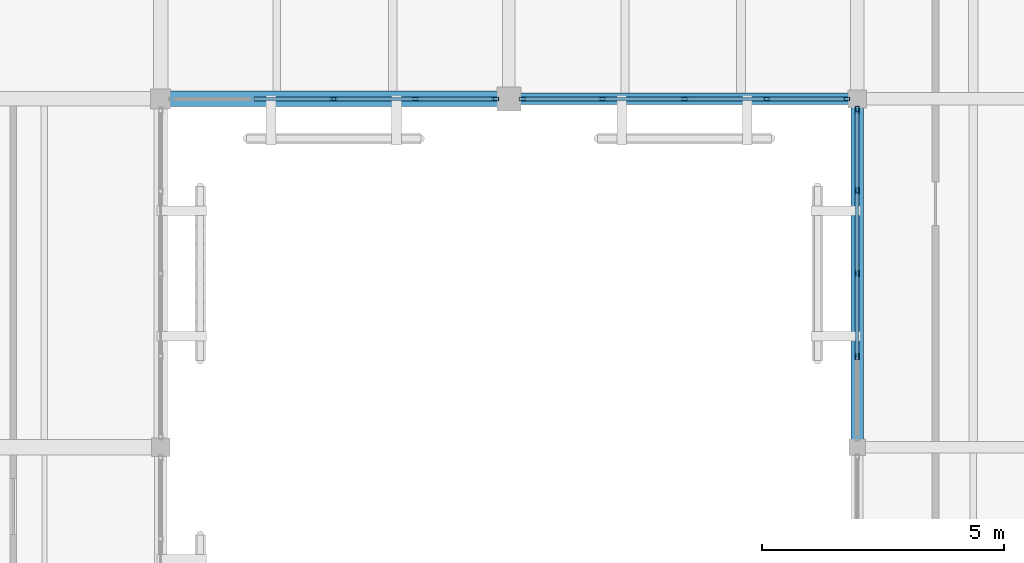
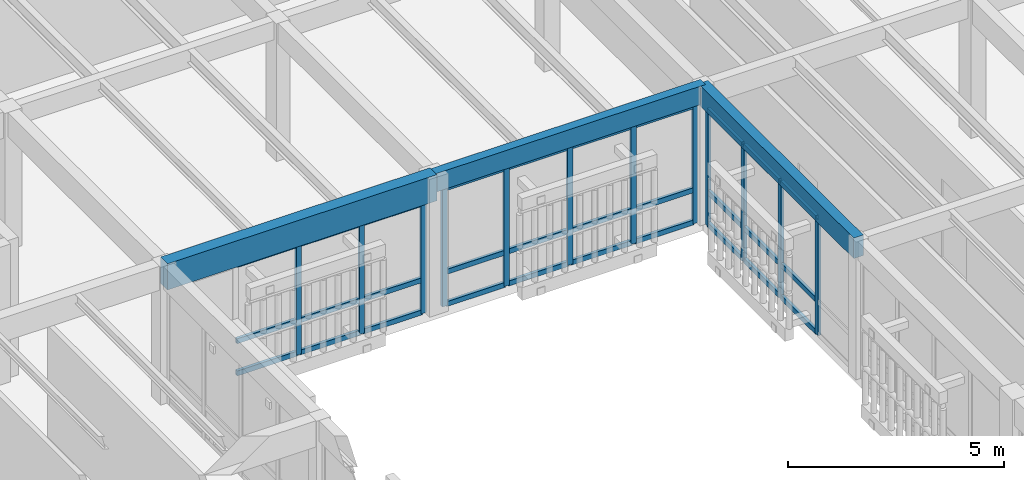
# One storey, part 56 of 217: 42 members, 3 beams, 3 elements without a shape of their own.
"""IFC4 building model written with IfcOpenShell, lengths in metres."""

from ifc_helpers import new_model, si_unit, direction, frame, origin, origin_2d, place, context, subcontext, project, spatial, rectangle, hollow_rectangle, extrude, material, layer, layer_set, material_profile, profile_set, type_object, element, aggregate, save


model = new_model("IFC4")

# Units and contexts
model_context = context("Model", 3, precision=1e-05, world=origin(), true_north=direction((0.0, 1.0)))
body_context = subcontext(model_context, "Body", "Model", "MODEL_VIEW")
ifc_project = project(units=[si_unit("LENGTHUNIT", "METRE"), si_unit("AREAUNIT", "SQUARE_METRE"), si_unit("VOLUMEUNIT", "CUBIC_METRE"), si_unit("PLANEANGLEUNIT", "RADIAN"), si_unit("MASSUNIT", "GRAM", prefix="KILO")], contexts=[model_context])

# Site, building, storey
site_placement = place(None, origin())
site = spatial("IfcSite", under=ifc_project, at=site_placement, CompositionType="ELEMENT")
building_placement = place(site_placement, origin())
building = spatial("IfcBuilding", under=site, at=building_placement, Name="Mazaris Harbour Polytechnic", CompositionType="ELEMENT")
storey_placement = place(building_placement, frame((0.0, 0.0, 9.60009765625)))
storey = spatial("IfcBuildingStorey", under=building, at=storey_placement, Name="L02", CompositionType="ELEMENT", Elevation=9.60009765625)

# Curtain wall, members
ifc_material_1 = material(Name="Anodised Bronze Aluminium and Low-E Glass", Category="aluminium")
ifc_layer = layer(ifc_material_1, 0.159912109375, Name="Anodised Bronze Aluminium and Low-E Glass")
ifc_layer_set = layer_set([ifc_layer], Name="Anodised Bronze Aluminium and Low-E Glass")
curtain_wall_type = type_object("IfcCurtainWallType", Name="Cloister Court Curtain Wall", PredefinedType="NOTDEFINED", material=ifc_layer_set)
curtain_wall_1_placement = place(storey_placement, origin())
curtain_wall_1 = element("IfcCurtainWall", 1, at=curtain_wall_1_placement, inside=storey, type_object=curtain_wall_type, Name="V4 L02 Curtain Wall 135", PredefinedType="NOTDEFINED")
ifc_material_2 = material(Name="Anodised Bronze Steel S355", Category="steel")
ifc_material_profile_1 = material_profile(ifc_material_2, hollow_rectangle(XDim=0.080078125, YDim=0.139892578125, WallThickness=0.00634765625, at=origin_2d()), Name="RHS 80x140x6.3")
ifc_profile_set_1 = profile_set([ifc_material_profile_1], Name="Anodised Bronze Steel S355")
member_type_1 = type_object("IfcMemberType", Name="Curtain Mullion RHS80x140", PredefinedType="MULLION", material=ifc_profile_set_1)
member_1_placement = place(storey_placement, frame((21.318115234375, 68.39990234375, 0.0), z_axis=(0.0, 0.0, 1.0), x_axis=(0.0, -1.0, 0.0)))
member_1 = element("IfcMember", 2, at=member_1_placement, type_object=member_type_1, Name="CW-02 mullion 1", PredefinedType="MULLION", context=body_context, shape_type="SweptSolid", body=[
    extrude(hollow_rectangle(XDim=0.080078125, YDim=0.139892578125, WallThickness=0.00634765625, at=origin_2d()), origin(), (0.0, 0.0, 1.0), 3.139892578125),
])
member_2_placement = place(storey_placement, frame((19.6689453125, 68.39990234375, 0.0), z_axis=(0.0, 0.0, 1.0), x_axis=(0.0, -1.0, 0.0)))
member_2 = element("IfcMember", 3, at=member_2_placement, type_object=member_type_1, Name="CW-02 mullion 2", PredefinedType="MULLION", context=body_context, shape_type="SweptSolid", body=[
    extrude(hollow_rectangle(XDim=0.080078125, YDim=0.139892578125, WallThickness=0.00634765625, at=origin_2d()), origin(), (0.0, 0.0, 1.0), 3.139892578125),
])
member_3_placement = place(storey_placement, frame((17.97998046875, 68.39990234375, 0.0), z_axis=(0.0, 0.0, 1.0), x_axis=(0.0, -1.0, 0.0)))
member_3 = element("IfcMember", 4, at=member_3_placement, type_object=member_type_1, Name="CW-02 mullion 3", PredefinedType="MULLION", context=body_context, shape_type="SweptSolid", body=[
    extrude(hollow_rectangle(XDim=0.080078125, YDim=0.139892578125, WallThickness=0.00634765625, at=origin_2d()), origin(), (0.0, 0.0, 1.0), 3.139892578125),
])

curtain_wall_2_placement = place(storey_placement, origin())
curtain_wall_2 = element("IfcCurtainWall", 5, at=curtain_wall_2_placement, inside=storey, type_object=curtain_wall_type, Name="V4 L02 Curtain Wall 136", PredefinedType="NOTDEFINED")
member_4_placement = place(storey_placement, frame((28.577880859375, 68.39990234375, 0.0), z_axis=(0.0, 0.0, 1.0), x_axis=(0.0, -1.0, 0.0)))
member_4 = element("IfcMember", 6, at=member_4_placement, type_object=member_type_1, Name="CW-02 mullion 1", PredefinedType="MULLION", context=body_context, shape_type="SweptSolid", body=[
    extrude(hollow_rectangle(XDim=0.080078125, YDim=0.139892578125, WallThickness=0.00634765625, at=origin_2d()), origin(), (0.0, 0.0, 1.0), 3.35986328125),
])
member_5_placement = place(storey_placement, frame((26.924072265625, 68.39990234375, 0.0), z_axis=(0.0, 0.0, 1.0), x_axis=(0.0, -1.0, 0.0)))
member_5 = element("IfcMember", 7, at=member_5_placement, type_object=member_type_1, Name="CW-02 mullion 2", PredefinedType="MULLION", context=body_context, shape_type="SweptSolid", body=[
    extrude(hollow_rectangle(XDim=0.080078125, YDim=0.139892578125, WallThickness=0.00634765625, at=origin_2d()), origin(), (0.0, 0.0, 1.0), 3.35986328125),
])
member_6_placement = place(storey_placement, frame((25.22998046875, 68.39990234375, 0.0), z_axis=(0.0, 0.0, 1.0), x_axis=(0.0, -1.0, 0.0)))
member_6 = element("IfcMember", 8, at=member_6_placement, type_object=member_type_1, Name="CW-02 mullion 3", PredefinedType="MULLION", context=body_context, shape_type="SweptSolid", body=[
    extrude(hollow_rectangle(XDim=0.080078125, YDim=0.139892578125, WallThickness=0.00634765625, at=origin_2d()), origin(), (0.0, 0.0, 1.0), 3.35986328125),
])
member_7_placement = place(storey_placement, frame((23.535888671875, 68.39990234375, 0.0), z_axis=(0.0, 0.0, 1.0), x_axis=(0.0, -1.0, 0.0)))
member_7 = element("IfcMember", 9, at=member_7_placement, type_object=member_type_1, Name="CW-02 mullion 4", PredefinedType="MULLION", context=body_context, shape_type="SweptSolid", body=[
    extrude(hollow_rectangle(XDim=0.080078125, YDim=0.139892578125, WallThickness=0.00634765625, at=origin_2d()), origin(), (0.0, 0.0, 1.0), 3.35986328125),
])
member_8_placement = place(storey_placement, frame((21.882080078125, 68.39990234375, 0.0), z_axis=(0.0, 0.0, 1.0), x_axis=(0.0, -1.0, 0.0)))
member_8 = element("IfcMember", 10, at=member_8_placement, type_object=member_type_1, Name="CW-02 mullion 5", PredefinedType="MULLION", context=body_context, shape_type="SweptSolid", body=[
    extrude(hollow_rectangle(XDim=0.080078125, YDim=0.139892578125, WallThickness=0.00634765625, at=origin_2d()), origin(), (0.0, 0.0, 1.0), 3.35986328125),
])

curtain_wall_3_placement = place(storey_placement, origin())
curtain_wall_3 = element("IfcCurtainWall", 11, at=curtain_wall_3_placement, inside=storey, type_object=curtain_wall_type, Name="V4 L02 Curtain Wall 144", PredefinedType="NOTDEFINED")
member_9_placement = place(storey_placement, frame((28.800048828125, 68.177978515625, 0.0), z_axis=(0.0, 0.0, 1.0), x_axis=(1.0, 0.0, 0.0)))
member_9 = element("IfcMember", 12, at=member_9_placement, type_object=member_type_1, Name="CW-02 mullion 1", PredefinedType="MULLION", context=body_context, shape_type="SweptSolid", body=[
    extrude(hollow_rectangle(XDim=0.080078125, YDim=0.139892578125, WallThickness=0.00634765625, at=origin_2d()), origin(), (0.0, 0.0, 1.0), 3.2998046875),
])
member_10_placement = place(storey_placement, frame((28.800048828125, 66.50390625, 0.0), z_axis=(0.0, 0.0, 1.0), x_axis=(1.0, 0.0, 0.0)))
member_10 = element("IfcMember", 13, at=member_10_placement, type_object=member_type_1, Name="CW-02 mullion 2", PredefinedType="MULLION", context=body_context, shape_type="SweptSolid", body=[
    extrude(hollow_rectangle(XDim=0.080078125, YDim=0.139892578125, WallThickness=0.00634765625, at=origin_2d()), origin(), (0.0, 0.0, 1.0), 3.2998046875),
])
member_11_placement = place(storey_placement, frame((28.800048828125, 64.7900390625, 0.0), z_axis=(0.0, 0.0, 1.0), x_axis=(1.0, 0.0, 0.0)))
member_11 = element("IfcMember", 14, at=member_11_placement, type_object=member_type_1, Name="CW-02 mullion 3", PredefinedType="MULLION", context=body_context, shape_type="SweptSolid", body=[
    extrude(hollow_rectangle(XDim=0.080078125, YDim=0.139892578125, WallThickness=0.00634765625, at=origin_2d()), origin(), (0.0, 0.0, 1.0), 3.2998046875),
])
member_12_placement = place(storey_placement, frame((28.800048828125, 63.075927734375, 0.0), z_axis=(0.0, 0.0, 1.0), x_axis=(1.0, 0.0, 0.0)))
member_12 = element("IfcMember", 15, at=member_12_placement, type_object=member_type_1, Name="CW-02 mullion 4", PredefinedType="MULLION", context=body_context, shape_type="SweptSolid", body=[
    extrude(hollow_rectangle(XDim=0.080078125, YDim=0.139892578125, WallThickness=0.00634765625, at=origin_2d()), origin(), (0.0, 0.0, 1.0), 3.2998046875),
])

# Member
ifc_material_3 = material(Name="Anodised Bronze Steel S355", Category="steel")
ifc_material_profile_2 = material_profile(ifc_material_3, hollow_rectangle(XDim=0.080078125, YDim=0.139892578125, WallThickness=0.00634765625, at=origin_2d()), Name="RHS 80x140x6.3")
ifc_profile_set_2 = profile_set([ifc_material_profile_2], Name="Anodised Bronze Steel S355")
member_type_2 = type_object("IfcMemberType", Name="Curtain Transom RHS80x140", PredefinedType="USERDEFINED", material=ifc_profile_set_2)
member_13_placement = place(storey_placement, frame((21.278076171875, 68.39990234375, 0.039794921875), z_axis=(-1.0, 0.0, 0.0), x_axis=(0.0, -1.0, 0.0)))
member_13 = element("IfcMember", 16, at=member_13_placement, type_object=member_type_2, Name="CW-02 transom 1.1", ObjectType="TRANSOM", PredefinedType="USERDEFINED", context=body_context, shape_type="SweptSolid", body=[
    extrude(hollow_rectangle(XDim=0.080078125, YDim=0.139892578125, WallThickness=0.00634765625, at=origin_2d()), origin(), (0.0, 0.0, 1.0), 1.569091796875),
])

member_14_placement = place(storey_placement, frame((21.278076171875, 68.39990234375, 0.949951171875), z_axis=(-1.0, 0.0, 0.0), x_axis=(0.0, -1.0, 0.0)))
member_14 = element("IfcMember", 17, at=member_14_placement, type_object=member_type_2, Name="CW-02 transom 1.2", ObjectType="TRANSOM", PredefinedType="USERDEFINED", context=body_context, shape_type="SweptSolid", body=[
    extrude(hollow_rectangle(XDim=0.080078125, YDim=0.139892578125, WallThickness=0.00634765625, at=origin_2d()), origin(), (0.0, 0.0, 1.0), 1.569091796875),
])

member_15_placement = place(storey_placement, frame((21.278076171875, 68.39990234375, 3.099853515625), z_axis=(-1.0, 0.0, 0.0), x_axis=(0.0, -1.0, 0.0)))
member_15 = element("IfcMember", 18, at=member_15_placement, type_object=member_type_2, Name="CW-02 transom 1.3", ObjectType="TRANSOM", PredefinedType="USERDEFINED", context=body_context, shape_type="SweptSolid", body=[
    extrude(hollow_rectangle(XDim=0.080078125, YDim=0.139892578125, WallThickness=0.00634765625, at=origin_2d()), origin(), (0.0, 0.0, 1.0), 1.569091796875),
])

member_16_placement = place(storey_placement, frame((19.62890625, 68.39990234375, 0.039794921875), z_axis=(-1.0, 0.0, 0.0), x_axis=(0.0, -1.0, 0.0)))
member_16 = element("IfcMember", 19, at=member_16_placement, type_object=member_type_2, Name="CW-02 transom 2.1", ObjectType="TRANSOM", PredefinedType="USERDEFINED", context=body_context, shape_type="SweptSolid", body=[
    extrude(hollow_rectangle(XDim=0.080078125, YDim=0.139892578125, WallThickness=0.00634765625, at=origin_2d()), origin(), (0.0, 0.0, 1.0), 1.60888671875),
])

member_17_placement = place(storey_placement, frame((19.62890625, 68.39990234375, 0.949951171875), z_axis=(-1.0, 0.0, 0.0), x_axis=(0.0, -1.0, 0.0)))
member_17 = element("IfcMember", 20, at=member_17_placement, type_object=member_type_2, Name="CW-02 transom 2.2", ObjectType="TRANSOM", PredefinedType="USERDEFINED", context=body_context, shape_type="SweptSolid", body=[
    extrude(hollow_rectangle(XDim=0.080078125, YDim=0.139892578125, WallThickness=0.00634765625, at=origin_2d()), origin(), (0.0, 0.0, 1.0), 1.60888671875),
])

member_18_placement = place(storey_placement, frame((19.62890625, 68.39990234375, 3.099853515625), z_axis=(-1.0, 0.0, 0.0), x_axis=(0.0, -1.0, 0.0)))
member_18 = element("IfcMember", 21, at=member_18_placement, type_object=member_type_2, Name="CW-02 transom 2.3", ObjectType="TRANSOM", PredefinedType="USERDEFINED", context=body_context, shape_type="SweptSolid", body=[
    extrude(hollow_rectangle(XDim=0.080078125, YDim=0.139892578125, WallThickness=0.00634765625, at=origin_2d()), origin(), (0.0, 0.0, 1.0), 1.60888671875),
])

member_19_placement = place(storey_placement, frame((17.93994140625, 68.39990234375, 0.039794921875), z_axis=(-1.0, 0.0, 0.0), x_axis=(0.0, -1.0, 0.0)))
member_19 = element("IfcMember", 22, at=member_19_placement, type_object=member_type_2, Name="CW-02 transom 3.1", ObjectType="TRANSOM", PredefinedType="USERDEFINED", context=body_context, shape_type="SweptSolid", body=[
    extrude(hollow_rectangle(XDim=0.080078125, YDim=0.139892578125, WallThickness=0.00634765625, at=origin_2d()), origin(), (0.0, 0.0, 1.0), 1.60888671875),
])

member_20_placement = place(storey_placement, frame((17.93994140625, 68.39990234375, 0.949951171875), z_axis=(-1.0, 0.0, 0.0), x_axis=(0.0, -1.0, 0.0)))
member_20 = element("IfcMember", 23, at=member_20_placement, type_object=member_type_2, Name="CW-02 transom 3.2", ObjectType="TRANSOM", PredefinedType="USERDEFINED", context=body_context, shape_type="SweptSolid", body=[
    extrude(hollow_rectangle(XDim=0.080078125, YDim=0.139892578125, WallThickness=0.00634765625, at=origin_2d()), origin(), (0.0, 0.0, 1.0), 1.60888671875),
])

member_21_placement = place(storey_placement, frame((17.93994140625, 68.39990234375, 3.099853515625), z_axis=(-1.0, 0.0, 0.0), x_axis=(0.0, -1.0, 0.0)))
member_21 = element("IfcMember", 24, at=member_21_placement, type_object=member_type_2, Name="CW-02 transom 3.3", ObjectType="TRANSOM", PredefinedType="USERDEFINED", context=body_context, shape_type="SweptSolid", body=[
    extrude(hollow_rectangle(XDim=0.080078125, YDim=0.139892578125, WallThickness=0.00634765625, at=origin_2d()), origin(), (0.0, 0.0, 1.0), 1.60888671875),
])

aggregate(curtain_wall_1, [member_1, member_2, member_3, member_13, member_14, member_15, member_16, member_17, member_18, member_19, member_20, member_21])

member_22_placement = place(storey_placement, frame((28.5380859375, 68.39990234375, 0.039794921875), z_axis=(-1.0, 0.0, 0.0), x_axis=(0.0, -1.0, 0.0)))
member_22 = element("IfcMember", 25, at=member_22_placement, type_object=member_type_2, Name="CW-02 transom 1.1", ObjectType="TRANSOM", PredefinedType="USERDEFINED", context=body_context, shape_type="SweptSolid", body=[
    extrude(hollow_rectangle(XDim=0.080078125, YDim=0.139892578125, WallThickness=0.00634765625, at=origin_2d()), origin(), (0.0, 0.0, 1.0), 1.573974609375),
])

member_23_placement = place(storey_placement, frame((28.5380859375, 68.39990234375, 0.949951171875), z_axis=(-1.0, 0.0, 0.0), x_axis=(0.0, -1.0, 0.0)))
member_23 = element("IfcMember", 26, at=member_23_placement, type_object=member_type_2, Name="CW-02 transom 1.2", ObjectType="TRANSOM", PredefinedType="USERDEFINED", context=body_context, shape_type="SweptSolid", body=[
    extrude(hollow_rectangle(XDim=0.080078125, YDim=0.139892578125, WallThickness=0.00634765625, at=origin_2d()), origin(), (0.0, 0.0, 1.0), 1.573974609375),
])

member_24_placement = place(storey_placement, frame((28.5380859375, 68.39990234375, 3.31982421875), z_axis=(-1.0, 0.0, 0.0), x_axis=(0.0, -1.0, 0.0)))
member_24 = element("IfcMember", 27, at=member_24_placement, type_object=member_type_2, Name="CW-02 transom 1.3", ObjectType="TRANSOM", PredefinedType="USERDEFINED", context=body_context, shape_type="SweptSolid", body=[
    extrude(hollow_rectangle(XDim=0.080078125, YDim=0.139892578125, WallThickness=0.00634765625, at=origin_2d()), origin(), (0.0, 0.0, 1.0), 1.573974609375),
])

member_25_placement = place(storey_placement, frame((26.884033203125, 68.39990234375, 0.039794921875), z_axis=(-1.0, 0.0, 0.0), x_axis=(0.0, -1.0, 0.0)))
member_25 = element("IfcMember", 28, at=member_25_placement, type_object=member_type_2, Name="CW-02 transom 2.1", ObjectType="TRANSOM", PredefinedType="USERDEFINED", context=body_context, shape_type="SweptSolid", body=[
    extrude(hollow_rectangle(XDim=0.080078125, YDim=0.139892578125, WallThickness=0.00634765625, at=origin_2d()), origin(), (0.0, 0.0, 1.0), 1.614013671875),
])

member_26_placement = place(storey_placement, frame((26.884033203125, 68.39990234375, 0.949951171875), z_axis=(-1.0, 0.0, 0.0), x_axis=(0.0, -1.0, 0.0)))
member_26 = element("IfcMember", 29, at=member_26_placement, type_object=member_type_2, Name="CW-02 transom 2.2", ObjectType="TRANSOM", PredefinedType="USERDEFINED", context=body_context, shape_type="SweptSolid", body=[
    extrude(hollow_rectangle(XDim=0.080078125, YDim=0.139892578125, WallThickness=0.00634765625, at=origin_2d()), origin(), (0.0, 0.0, 1.0), 1.614013671875),
])

member_27_placement = place(storey_placement, frame((26.884033203125, 68.39990234375, 3.31982421875), z_axis=(-1.0, 0.0, 0.0), x_axis=(0.0, -1.0, 0.0)))
member_27 = element("IfcMember", 30, at=member_27_placement, type_object=member_type_2, Name="CW-02 transom 2.3", ObjectType="TRANSOM", PredefinedType="USERDEFINED", context=body_context, shape_type="SweptSolid", body=[
    extrude(hollow_rectangle(XDim=0.080078125, YDim=0.139892578125, WallThickness=0.00634765625, at=origin_2d()), origin(), (0.0, 0.0, 1.0), 1.614013671875),
])

member_28_placement = place(storey_placement, frame((25.18994140625, 68.39990234375, 0.039794921875), z_axis=(-1.0, 0.0, 0.0), x_axis=(0.0, -1.0, 0.0)))
member_28 = element("IfcMember", 31, at=member_28_placement, type_object=member_type_2, Name="CW-02 transom 3.1", ObjectType="TRANSOM", PredefinedType="USERDEFINED", context=body_context, shape_type="SweptSolid", body=[
    extrude(hollow_rectangle(XDim=0.080078125, YDim=0.139892578125, WallThickness=0.00634765625, at=origin_2d()), origin(), (0.0, 0.0, 1.0), 1.614013671875),
])

member_29_placement = place(storey_placement, frame((25.18994140625, 68.39990234375, 0.949951171875), z_axis=(-1.0, 0.0, 0.0), x_axis=(0.0, -1.0, 0.0)))
member_29 = element("IfcMember", 32, at=member_29_placement, type_object=member_type_2, Name="CW-02 transom 3.2", ObjectType="TRANSOM", PredefinedType="USERDEFINED", context=body_context, shape_type="SweptSolid", body=[
    extrude(hollow_rectangle(XDim=0.080078125, YDim=0.139892578125, WallThickness=0.00634765625, at=origin_2d()), origin(), (0.0, 0.0, 1.0), 1.614013671875),
])

member_30_placement = place(storey_placement, frame((25.18994140625, 68.39990234375, 3.31982421875), z_axis=(-1.0, 0.0, 0.0), x_axis=(0.0, -1.0, 0.0)))
member_30 = element("IfcMember", 33, at=member_30_placement, type_object=member_type_2, Name="CW-02 transom 3.3", ObjectType="TRANSOM", PredefinedType="USERDEFINED", context=body_context, shape_type="SweptSolid", body=[
    extrude(hollow_rectangle(XDim=0.080078125, YDim=0.139892578125, WallThickness=0.00634765625, at=origin_2d()), origin(), (0.0, 0.0, 1.0), 1.614013671875),
])

member_31_placement = place(storey_placement, frame((23.49609375, 68.39990234375, 0.039794921875), z_axis=(-1.0, 0.0, 0.0), x_axis=(0.0, -1.0, 0.0)))
member_31 = element("IfcMember", 34, at=member_31_placement, type_object=member_type_2, Name="CW-02 transom 4.1", ObjectType="TRANSOM", PredefinedType="USERDEFINED", context=body_context, shape_type="SweptSolid", body=[
    extrude(hollow_rectangle(XDim=0.080078125, YDim=0.139892578125, WallThickness=0.00634765625, at=origin_2d()), origin(), (0.0, 0.0, 1.0), 1.573974609375),
])

member_32_placement = place(storey_placement, frame((23.49609375, 68.39990234375, 0.949951171875), z_axis=(-1.0, 0.0, 0.0), x_axis=(0.0, -1.0, 0.0)))
member_32 = element("IfcMember", 35, at=member_32_placement, type_object=member_type_2, Name="CW-02 transom 4.2", ObjectType="TRANSOM", PredefinedType="USERDEFINED", context=body_context, shape_type="SweptSolid", body=[
    extrude(hollow_rectangle(XDim=0.080078125, YDim=0.139892578125, WallThickness=0.00634765625, at=origin_2d()), origin(), (0.0, 0.0, 1.0), 1.573974609375),
])

member_33_placement = place(storey_placement, frame((23.49609375, 68.39990234375, 3.31982421875), z_axis=(-1.0, 0.0, 0.0), x_axis=(0.0, -1.0, 0.0)))
member_33 = element("IfcMember", 36, at=member_33_placement, type_object=member_type_2, Name="CW-02 transom 4.3", ObjectType="TRANSOM", PredefinedType="USERDEFINED", context=body_context, shape_type="SweptSolid", body=[
    extrude(hollow_rectangle(XDim=0.080078125, YDim=0.139892578125, WallThickness=0.00634765625, at=origin_2d()), origin(), (0.0, 0.0, 1.0), 1.573974609375),
])

aggregate(curtain_wall_2, [member_4, member_5, member_6, member_7, member_8, member_22, member_23, member_24, member_25, member_26, member_27, member_28, member_29, member_30, member_31, member_32, member_33])

member_34_placement = place(storey_placement, frame((28.800048828125, 68.137939453125, 0.039794921875), z_axis=(0.0, -1.0, 0.0), x_axis=(1.0, 0.0, 0.0)))
member_34 = element("IfcMember", 37, at=member_34_placement, type_object=member_type_2, Name="CW-02 transom 1.1", ObjectType="TRANSOM", PredefinedType="USERDEFINED", context=body_context, shape_type="SweptSolid", body=[
    extrude(hollow_rectangle(XDim=0.080078125, YDim=0.139892578125, WallThickness=0.00634765625, at=origin_2d()), origin(), (0.0, 0.0, 1.0), 1.593994140625),
])

member_35_placement = place(storey_placement, frame((28.800048828125, 68.137939453125, 0.949951171875), z_axis=(0.0, -1.0, 0.0), x_axis=(1.0, 0.0, 0.0)))
member_35 = element("IfcMember", 38, at=member_35_placement, type_object=member_type_2, Name="CW-02 transom 1.2", ObjectType="TRANSOM", PredefinedType="USERDEFINED", context=body_context, shape_type="SweptSolid", body=[
    extrude(hollow_rectangle(XDim=0.080078125, YDim=0.139892578125, WallThickness=0.00634765625, at=origin_2d()), origin(), (0.0, 0.0, 1.0), 1.593994140625),
])

member_36_placement = place(storey_placement, frame((28.800048828125, 68.137939453125, 3.260009765625), z_axis=(0.0, -1.0, 0.0), x_axis=(1.0, 0.0, 0.0)))
member_36 = element("IfcMember", 39, at=member_36_placement, type_object=member_type_2, Name="CW-02 transom 1.3", ObjectType="TRANSOM", PredefinedType="USERDEFINED", context=body_context, shape_type="SweptSolid", body=[
    extrude(hollow_rectangle(XDim=0.080078125, YDim=0.139892578125, WallThickness=0.00634765625, at=origin_2d()), origin(), (0.0, 0.0, 1.0), 1.593994140625),
])

member_37_placement = place(storey_placement, frame((28.800048828125, 66.464111328125, 0.039794921875), z_axis=(0.0, -1.0, 0.0), x_axis=(1.0, 0.0, 0.0)))
member_37 = element("IfcMember", 40, at=member_37_placement, type_object=member_type_2, Name="CW-02 transom 2.1", ObjectType="TRANSOM", PredefinedType="USERDEFINED", context=body_context, shape_type="SweptSolid", body=[
    extrude(hollow_rectangle(XDim=0.080078125, YDim=0.139892578125, WallThickness=0.00634765625, at=origin_2d()), origin(), (0.0, 0.0, 1.0), 1.634033203125),
])

member_38_placement = place(storey_placement, frame((28.800048828125, 66.464111328125, 0.949951171875), z_axis=(0.0, -1.0, 0.0), x_axis=(1.0, 0.0, 0.0)))
member_38 = element("IfcMember", 41, at=member_38_placement, type_object=member_type_2, Name="CW-02 transom 2.2", ObjectType="TRANSOM", PredefinedType="USERDEFINED", context=body_context, shape_type="SweptSolid", body=[
    extrude(hollow_rectangle(XDim=0.080078125, YDim=0.139892578125, WallThickness=0.00634765625, at=origin_2d()), origin(), (0.0, 0.0, 1.0), 1.634033203125),
])

member_39_placement = place(storey_placement, frame((28.800048828125, 66.464111328125, 3.260009765625), z_axis=(0.0, -1.0, 0.0), x_axis=(1.0, 0.0, 0.0)))
member_39 = element("IfcMember", 42, at=member_39_placement, type_object=member_type_2, Name="CW-02 transom 2.3", ObjectType="TRANSOM", PredefinedType="USERDEFINED", context=body_context, shape_type="SweptSolid", body=[
    extrude(hollow_rectangle(XDim=0.080078125, YDim=0.139892578125, WallThickness=0.00634765625, at=origin_2d()), origin(), (0.0, 0.0, 1.0), 1.634033203125),
])

member_40_placement = place(storey_placement, frame((28.800048828125, 64.75, 0.039794921875), z_axis=(0.0, -1.0, 0.0), x_axis=(1.0, 0.0, 0.0)))
member_40 = element("IfcMember", 43, at=member_40_placement, type_object=member_type_2, Name="CW-02 transom 3.1", ObjectType="TRANSOM", PredefinedType="USERDEFINED", context=body_context, shape_type="SweptSolid", body=[
    extrude(hollow_rectangle(XDim=0.080078125, YDim=0.139892578125, WallThickness=0.00634765625, at=origin_2d()), origin(), (0.0, 0.0, 1.0), 1.634033203125),
])

member_41_placement = place(storey_placement, frame((28.800048828125, 64.75, 0.949951171875), z_axis=(0.0, -1.0, 0.0), x_axis=(1.0, 0.0, 0.0)))
member_41 = element("IfcMember", 44, at=member_41_placement, type_object=member_type_2, Name="CW-02 transom 3.2", ObjectType="TRANSOM", PredefinedType="USERDEFINED", context=body_context, shape_type="SweptSolid", body=[
    extrude(hollow_rectangle(XDim=0.080078125, YDim=0.139892578125, WallThickness=0.00634765625, at=origin_2d()), origin(), (0.0, 0.0, 1.0), 1.634033203125),
])

member_42_placement = place(storey_placement, frame((28.800048828125, 64.75, 3.260009765625), z_axis=(0.0, -1.0, 0.0), x_axis=(1.0, 0.0, 0.0)))
member_42 = element("IfcMember", 45, at=member_42_placement, type_object=member_type_2, Name="CW-02 transom 3.3", ObjectType="TRANSOM", PredefinedType="USERDEFINED", context=body_context, shape_type="SweptSolid", body=[
    extrude(hollow_rectangle(XDim=0.080078125, YDim=0.139892578125, WallThickness=0.00634765625, at=origin_2d()), origin(), (0.0, 0.0, 1.0), 1.634033203125),
])

aggregate(curtain_wall_3, [member_9, member_10, member_11, member_12, member_34, member_35, member_36, member_37, member_38, member_39, member_40, member_41, member_42])

# Beams
ifc_material_4 = material(Name="Glulam GL32h", Category="wood")
ifc_material_profile_3 = material_profile(ifc_material_4, rectangle(XDim=0.239990234375, YDim=0.52001953125, at=origin_2d()), Name="RECT240x520")
ifc_profile_set_3 = profile_set([ifc_material_profile_3], Name="Glulam GL32h")
beam_type_1 = type_object("IfcBeamType", Name="Glulam Girder 240x520", PredefinedType="BEAM", material=ifc_profile_set_3)
beam_1_placement = place(storey_placement, frame((21.60009765625, 68.39990234375, 3.6298828125), z_axis=(1.0, 0.0, 0.0), x_axis=(0.0, 1.0, 0.0)))
element("IfcBeam", 46, at=beam_1_placement, inside=storey, type_object=beam_type_1, Name="V4 L02 Girder 1940", PredefinedType="BEAM", context=body_context, shape_type="SweptSolid", body=[
    extrude(rectangle(XDim=0.239990234375, YDim=0.52001953125, at=origin_2d()), origin(), (0.0, 0.0, 1.0), 7.199951171875),
])
ifc_material_5 = material(Name="Glulam GL32h", Category="wood")
ifc_material_profile_4 = material_profile(ifc_material_5, rectangle(XDim=0.260009765625, YDim=0.580078125, at=origin_2d()), Name="RECT260x580")
ifc_profile_set_4 = profile_set([ifc_material_profile_4], Name="Glulam GL32h")
beam_type_2 = type_object("IfcBeamType", Name="Glulam Girder 260x580", PredefinedType="BEAM", material=ifc_profile_set_4)
beam_2_placement = place(storey_placement, frame((28.800048828125, 61.199951171875, 3.599853515625), z_axis=(0.0, 1.0, 0.0), x_axis=(-1.0, 0.0, 0.0)))
element("IfcBeam", 47, at=beam_2_placement, inside=storey, type_object=beam_type_2, Name="V4 L02 Tie Girder 2016", PredefinedType="BEAM", context=body_context, shape_type="SweptSolid", body=[
    extrude(rectangle(XDim=0.260009765625, YDim=0.580078125, at=origin_2d()), origin(), (0.0, 0.0, 1.0), 7.199951171875),
])
ifc_material_6 = material(Name="Glulam GL32h", Category="wood")
ifc_material_profile_5 = material_profile(ifc_material_6, rectangle(XDim=0.320068359375, YDim=0.739990234375, at=origin_2d()), Name="RECT320x740")
ifc_profile_set_5 = profile_set([ifc_material_profile_5], Name="Glulam GL32h")
beam_type_3 = type_object("IfcBeamType", Name="Glulam Girder 320x740", PredefinedType="BEAM", material=ifc_profile_set_5)
beam_3_placement = place(storey_placement, frame((14.39990234375, 68.39990234375, 3.52001953125), z_axis=(1.0, 0.0, 0.0), x_axis=(0.0, 1.0, 0.0)))
element("IfcBeam", 48, at=beam_3_placement, inside=storey, type_object=beam_type_3, Name="V4 L02 Girder 1939", PredefinedType="BEAM", context=body_context, shape_type="SweptSolid", body=[
    extrude(rectangle(XDim=0.320068359375, YDim=0.739990234375, at=origin_2d()), origin(), (0.0, 0.0, 1.0), 7.2001953125),
])

save(model, "model.ifc")
